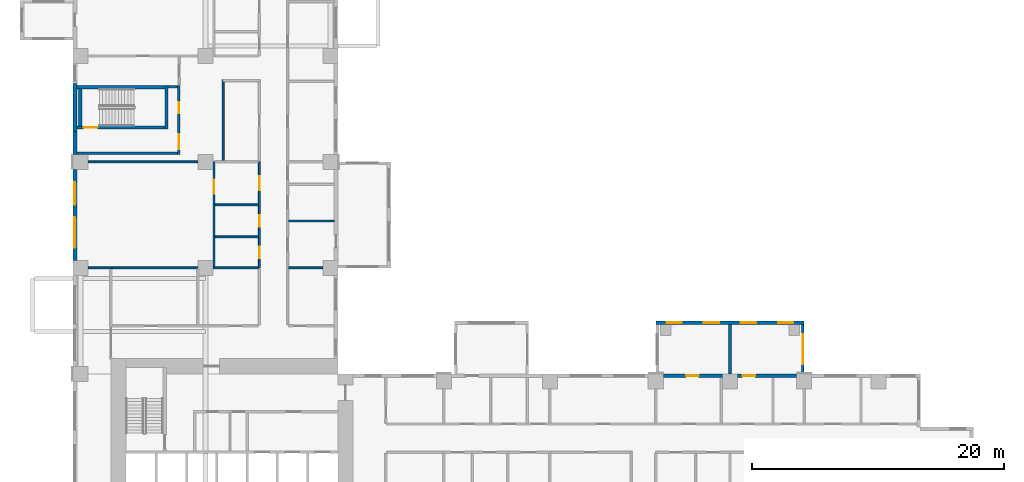
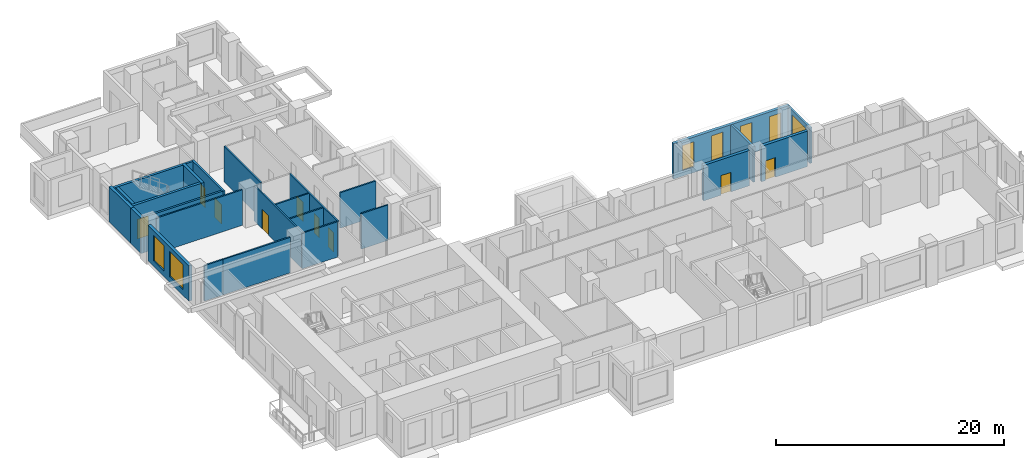
# One storey, part 6 of 15: 26 walls, 9 doors, 7 windows, 16 openings.
"""IFC4 building model written with IfcOpenShell, lengths in metres."""

from ifc_helpers import new_model, si_unit, direction, frame, frame_2d, origin, place, context, subcontext, project, spatial, rectangle, extrude, source, transform, mapped, material, layer, layer_set, type_object, element, fill, save


model = new_model("IFC4")

# Units and contexts
model_context = context("Model", 3, precision=1e-05, world=origin(), true_north=direction((0.0, 1.0)))
body_context = subcontext(model_context, "Body", "Model", "MODEL_VIEW")
ifc_project = project(units=[si_unit("LENGTHUNIT", "METRE"), si_unit("AREAUNIT", "SQUARE_METRE"), si_unit("VOLUMEUNIT", "CUBIC_METRE"), si_unit("PLANEANGLEUNIT", "RADIAN"), si_unit("MASSUNIT", "GRAM", prefix="KILO")], contexts=[model_context])

# Site, building, storey
site_placement = place(None, origin())
site = spatial("IfcSite", under=ifc_project, at=site_placement, CompositionType="ELEMENT")
building_placement = place(site_placement, origin())
building = spatial("IfcBuilding", under=site, at=building_placement, Name="Aurelian Terraces", CompositionType="ELEMENT")
storey_placement = place(building_placement, frame((0.0, 0.0, 82.5)))
storey = spatial("IfcBuildingStorey", under=building, at=storey_placement, Name="L17", CompositionType="ELEMENT", Elevation=82.5)

# Wall
ifc_material_1 = material(Name="Concrete fc' 40 MPa", Category="concrete")
ifc_layer_1 = layer(ifc_material_1, 0.2)
ifc_layer_set_1 = layer_set([ifc_layer_1], Name="BOX BEARING WALL 200")
wall_type_1 = type_object("IfcWallType", Name="BOX BEARING WALL 200", PredefinedType="SOLIDWALL", material=ifc_layer_set_1)
wall_1_placement = place(storey_placement, frame((52.08, 21.0, 0.0), z_axis=(0.0, 0.0, 1.0), x_axis=(0.0, 1.0, 0.0)))
element("IfcWall", 1, at=wall_1_placement, inside=storey, type_object=wall_type_1, Name="Box partition L17 K01", PredefinedType="SOLIDWALL", context=body_context, shape_type="SweptSolid", body=[
    extrude(rectangle(XDim=3.9, YDim=0.2, at=frame_2d((1.95, 0.0))), origin(), (0.0, 0.0, 1.0), 3.8),
])

# Wall, openings, windows
ifc_layer_2 = layer(ifc_material_1, 0.3)
ifc_layer_set_2 = layer_set([ifc_layer_2], Name="BOX BEARING WALL 300")
wall_type_2 = type_object("IfcWallType", Name="BOX BEARING WALL 300", PredefinedType="SOLIDWALL", material=ifc_layer_set_2)
wall_2_placement = place(storey_placement, frame((57.96, 25.05, 0.0), z_axis=(0.0, 0.0, 1.0), x_axis=(-1.0, 0.0, 0.0)))
wall_2 = element("IfcWall", 2, at=wall_2_placement, inside=storey, type_object=wall_type_2, Name="Box wall L17 K01", PredefinedType="SOLIDWALL", context=body_context, shape_type="SweptSolid", body=[
    extrude(rectangle(XDim=11.76, YDim=0.3, at=frame_2d((5.88, 0.0))), origin(), (0.0, 0.0, 1.0), 3.8),
])
shared_shape_1 = source(origin(), body_context, "Body", "SweptSolid", [
    extrude(rectangle(XDim=1.2, YDim=2.7, at=frame_2d((0.6, 1.35))), frame((0.0, 0.16, 0.0), z_axis=(0.0, -1.0, 0.0), x_axis=(1.0, 0.0, 0.0)), (0.0, 0.0, 1.0), 0.32),
])
opening_1_placement = place(wall_2_placement, frame((0.87, 0.0, 0.6)))
opening_1 = element("IfcOpeningElement", 3, at=opening_1_placement, cuts=wall_2, Name="Opening W1227", PredefinedType="OPENING", context=body_context, shape_type="MappedRepresentation", body=[
    mapped(shared_shape_1, transform((0.0, 0.0, 0.0), scale=1.0)),
])
opening_2_placement = place(wall_2_placement, frame((3.81, 0.0, 0.6)))
opening_2 = element("IfcOpeningElement", 4, at=opening_2_placement, cuts=wall_2, Name="Opening W1227", PredefinedType="OPENING", context=body_context, shape_type="MappedRepresentation", body=[
    mapped(shared_shape_1, transform((0.0, 0.0, 0.0), scale=1.0)),
])
opening_3_placement = place(wall_2_placement, frame((6.75, 0.0, 0.6)))
opening_3 = element("IfcOpeningElement", 5, at=opening_3_placement, cuts=wall_2, Name="Opening W1227", PredefinedType="OPENING", context=body_context, shape_type="MappedRepresentation", body=[
    mapped(shared_shape_1, transform((0.0, 0.0, 0.0), scale=1.0)),
])
opening_4_placement = place(wall_2_placement, frame((9.69, 0.0, 0.6)))
opening_4 = element("IfcOpeningElement", 6, at=opening_4_placement, cuts=wall_2, Name="Opening W1227", PredefinedType="OPENING", context=body_context, shape_type="MappedRepresentation", body=[
    mapped(shared_shape_1, transform((0.0, 0.0, 0.0), scale=1.0)),
])
ifc_material_2 = material(Name="Clear glazing", Category="glass")
window_type_1 = type_object("IfcWindowType", Name="W-1200x2700", PartitioningType="SINGLE_PANEL", PredefinedType="WINDOW", material=ifc_material_2)
shared_shape_2 = source(origin(), body_context, "Body", "SweptSolid", [
    extrude(rectangle(XDim=1.2, YDim=2.7, at=frame_2d((0.6, 1.35))), frame((0.0, 0.03, 0.0), z_axis=(0.0, -1.0, 0.0), x_axis=(1.0, 0.0, 0.0)), (0.0, 0.0, 1.0), 0.06),
])
window_1_placement = place(opening_1_placement, origin())
window_1 = element("IfcWindow", 7, at=window_1_placement, inside=storey, type_object=window_type_1, Name="Window L17 K01-F1", OverallHeight=2.7, OverallWidth=1.2, PartitioningType="SINGLE_PANEL", PredefinedType="WINDOW", context=body_context, shape_type="MappedRepresentation", body=[
    mapped(shared_shape_2, transform((0.0, 0.0, 0.0), scale=1.0)),
])
fill(opening_1, window_1)
window_2_placement = place(opening_2_placement, origin())
window_2 = element("IfcWindow", 8, at=window_2_placement, inside=storey, type_object=window_type_1, Name="Window L17 K01-F2", OverallHeight=2.7, OverallWidth=1.2, PartitioningType="SINGLE_PANEL", PredefinedType="WINDOW", context=body_context, shape_type="MappedRepresentation", body=[
    mapped(shared_shape_2, transform((0.0, 0.0, 0.0), scale=1.0)),
])
fill(opening_2, window_2)
window_3_placement = place(opening_3_placement, origin())
window_3 = element("IfcWindow", 9, at=window_3_placement, inside=storey, type_object=window_type_1, Name="Window L17 K01-F3", OverallHeight=2.7, OverallWidth=1.2, PartitioningType="SINGLE_PANEL", PredefinedType="WINDOW", context=body_context, shape_type="MappedRepresentation", body=[
    mapped(shared_shape_2, transform((0.0, 0.0, 0.0), scale=1.0)),
])
fill(opening_3, window_3)
window_4_placement = place(opening_4_placement, origin())
window_4 = element("IfcWindow", 10, at=window_4_placement, inside=storey, type_object=window_type_1, Name="Window L17 K01-F4", OverallHeight=2.7, OverallWidth=1.2, PartitioningType="SINGLE_PANEL", PredefinedType="WINDOW", context=body_context, shape_type="MappedRepresentation", body=[
    mapped(shared_shape_2, transform((0.0, 0.0, 0.0), scale=1.0)),
])
fill(opening_4, window_4)

ifc_material_3 = material(Name="Terracotta rainscreen cladding", Category="masonry")
ifc_layer_3 = layer(ifc_material_3, 0.3)
ifc_layer_set_3 = layer_set([ifc_layer_3], Name="EW-300")
wall_type_3 = type_object("IfcWallType", Name="EW-300", PredefinedType="STANDARD", material=ifc_layer_set_3)
shared_shape_3 = source(origin(), body_context, "Body", "SweptSolid", [
    extrude(rectangle(XDim=7.2, YDim=0.3, at=frame_2d((3.6, 0.0))), origin(), (0.0, 0.0, 1.0), 3.8),
])
wall_3_placement = place(storey_placement, frame((0.15, 37.2, 0.0), z_axis=(0.0, 0.0, 1.0), x_axis=(0.0, -1.0, 0.0)))
wall_3 = element("IfcWall", 11, at=wall_3_placement, inside=storey, type_object=wall_type_3, Name="External wall L17 F14.33", PredefinedType="STANDARD", context=body_context, shape_type="MappedRepresentation", body=[
    mapped(shared_shape_3, transform((0.0, 0.0, 0.0), scale=1.0)),
])
shared_shape_4 = source(origin(), body_context, "Body", "SweptSolid", [
    extrude(rectangle(XDim=1.8, YDim=2.7, at=frame_2d((0.9, 1.35))), frame((0.0, 0.16, 0.0), z_axis=(0.0, -1.0, 0.0), x_axis=(1.0, 0.0, 0.0)), (0.0, 0.0, 1.0), 0.32),
])
opening_5_placement = place(wall_3_placement, frame((1.0075, 0.0, 0.6)))
opening_5 = element("IfcOpeningElement", 12, at=opening_5_placement, cuts=wall_3, Name="Opening W1827", PredefinedType="OPENING", context=body_context, shape_type="MappedRepresentation", body=[
    mapped(shared_shape_4, transform((0.0, 0.0, 0.0), scale=1.0)),
])
shared_shape_5 = source(origin(), body_context, "Body", "SweptSolid", [
    extrude(rectangle(XDim=2.4, YDim=2.7, at=frame_2d((1.2, 1.35))), frame((0.0, 0.16, 0.0), z_axis=(0.0, -1.0, 0.0), x_axis=(1.0, 0.0, 0.0)), (0.0, 0.0, 1.0), 0.32),
])
opening_6_placement = place(wall_3_placement, frame((3.8038, 0.0, 0.6)))
opening_6 = element("IfcOpeningElement", 13, at=opening_6_placement, cuts=wall_3, Name="Opening W2427", PredefinedType="OPENING", context=body_context, shape_type="MappedRepresentation", body=[
    mapped(shared_shape_5, transform((0.0, 0.0, 0.0), scale=1.0)),
])
window_type_2 = type_object("IfcWindowType", Name="W-2400x2700", PartitioningType="SINGLE_PANEL", PredefinedType="WINDOW", material=ifc_material_2)
shared_shape_6 = source(origin(), body_context, "Body", "SweptSolid", [
    extrude(rectangle(XDim=2.4, YDim=2.7, at=frame_2d((1.2, 1.35))), frame((0.0, 0.03, 0.0), z_axis=(0.0, -1.0, 0.0), x_axis=(1.0, 0.0, 0.0)), (0.0, 0.0, 1.0), 0.06),
])
window_5_placement = place(opening_6_placement, origin())
window_5 = element("IfcWindow", 14, at=window_5_placement, inside=storey, type_object=window_type_2, Name="Window L17 L17-F14-33-G5-194", OverallHeight=2.7, OverallWidth=2.4, PartitioningType="SINGLE_PANEL", PredefinedType="WINDOW", context=body_context, shape_type="MappedRepresentation", body=[
    mapped(shared_shape_6, transform((0.0, 0.0, 0.0), scale=1.0)),
])
fill(opening_6, window_5)
window_type_3 = type_object("IfcWindowType", Name="W-1800x2700", PartitioningType="SINGLE_PANEL", PredefinedType="WINDOW", material=ifc_material_2)
shared_shape_7 = source(origin(), body_context, "Body", "SweptSolid", [
    extrude(rectangle(XDim=1.8, YDim=2.7, at=frame_2d((0.9, 1.35))), frame((0.0, 0.03, 0.0), z_axis=(0.0, -1.0, 0.0), x_axis=(1.0, 0.0, 0.0)), (0.0, 0.0, 1.0), 0.06),
])
window_6_placement = place(opening_5_placement, origin())
window_6 = element("IfcWindow", 15, at=window_6_placement, inside=storey, type_object=window_type_3, Name="Window L17 L17-F14-33-4", OverallHeight=2.7, OverallWidth=1.8, PartitioningType="SINGLE_PANEL", PredefinedType="WINDOW", context=body_context, shape_type="MappedRepresentation", body=[
    mapped(shared_shape_7, transform((0.0, 0.0, 0.0), scale=1.0)),
])
fill(opening_5, window_6)

# Wall, opening, door
shared_shape_8 = source(origin(), body_context, "Body", "SweptSolid", [
    extrude(rectangle(XDim=4.68, YDim=0.3, at=frame_2d((2.34, 0.0))), origin(), (0.0, 0.0, 1.0), 3.8),
])
wall_4_placement = place(storey_placement, frame((57.36, 20.85, 0.0), z_axis=(0.0, 0.0, 1.0), x_axis=(-1.0, 0.0, 0.0)))
wall_4 = element("IfcWall", 16, at=wall_4_placement, inside=storey, type_object=wall_type_3, Name="External wall L17 F07.20", PredefinedType="STANDARD", context=body_context, shape_type="MappedRepresentation", body=[
    mapped(shared_shape_8, transform((0.0, 0.0, 0.0), scale=1.0)),
])
shared_shape_9 = source(origin(), body_context, "Body", "SweptSolid", [
    extrude(rectangle(XDim=1.0, YDim=2.1, at=frame_2d((0.5, 1.05))), frame((0.0, 0.16, 0.0), z_axis=(0.0, -1.0, 0.0), x_axis=(1.0, 0.0, 0.0)), (0.0, 0.0, 1.0), 0.32),
])
opening_7_placement = place(wall_4_placement, frame((3.2867, 0.0, 0.0)))
opening_7 = element("IfcOpeningElement", 17, at=opening_7_placement, cuts=wall_4, Name="Opening 817005", PredefinedType="OPENING", context=body_context, shape_type="MappedRepresentation", body=[
    mapped(shared_shape_9, transform((0.0, 0.0, 0.0), scale=1.0)),
])
ifc_material_4 = material(Name="Timber door leaf", Category="wood")
door_type_1 = type_object("IfcDoorType", Name="Room door 1000x2100 left", OperationType="SINGLE_SWING_LEFT", PredefinedType="DOOR", material=ifc_material_4)
shared_shape_10 = source(origin(), body_context, "Body", "SweptSolid", [
    extrude(rectangle(XDim=1.0, YDim=2.1, at=frame_2d((0.5, 1.05))), frame((0.0, 0.025, 0.0), z_axis=(0.0, -1.0, 0.0), x_axis=(1.0, 0.0, 0.0)), (0.0, 0.0, 1.0), 0.05),
])
door_1_placement = place(opening_7_placement, origin())
door_1 = element("IfcDoor", 18, at=door_1_placement, inside=storey, type_object=door_type_1, Name="Door 817005", OperationType="SINGLE_SWING_LEFT", OverallHeight=2.1, OverallWidth=1.0, PredefinedType="DOOR", context=body_context, shape_type="MappedRepresentation", body=[
    mapped(shared_shape_10, transform((0.0, 0.0, 0.0), scale=1.0)),
])
fill(opening_7, door_1)

wall_5_placement = place(storey_placement, frame((51.48, 20.85, 0.0), z_axis=(0.0, 0.0, 1.0), x_axis=(-1.0, 0.0, 0.0)))
wall_5 = element("IfcWall", 19, at=wall_5_placement, inside=storey, type_object=wall_type_3, Name="External wall L17 F07.20", PredefinedType="STANDARD", context=body_context, shape_type="MappedRepresentation", body=[
    mapped(shared_shape_8, transform((0.0, 0.0, 0.0), scale=1.0)),
])
opening_8_placement = place(wall_5_placement, frame((1.8867, 0.0, 0.0)))
opening_8 = element("IfcOpeningElement", 20, at=opening_8_placement, cuts=wall_5, Name="Opening 817006", PredefinedType="OPENING", context=body_context, shape_type="MappedRepresentation", body=[
    mapped(shared_shape_9, transform((0.0, 0.0, 0.0), scale=1.0)),
])
door_2_placement = place(opening_8_placement, origin())
door_2 = element("IfcDoor", 21, at=door_2_placement, inside=storey, type_object=door_type_1, Name="Door 817006", OperationType="SINGLE_SWING_LEFT", OverallHeight=2.1, OverallWidth=1.0, PredefinedType="DOOR", context=body_context, shape_type="MappedRepresentation", body=[
    mapped(shared_shape_10, transform((0.0, 0.0, 0.0), scale=1.0)),
])
fill(opening_8, door_2)

# Walls
ifc_layer_4 = layer(ifc_material_1, 0.3)
ifc_layer_set_4 = layer_set([ifc_layer_4], Name="STAIR BAY WALL 300")
wall_type_4 = type_object("IfcWallType", Name="STAIR BAY WALL 300", PredefinedType="SOLIDWALL", material=ifc_layer_set_4)
shared_shape_11 = source(origin(), body_context, "Body", "SweptSolid", [
    extrude(rectangle(XDim=3.8, YDim=0.3, at=frame_2d((1.9, 0.0))), origin(), (0.0, 0.0, 1.0), 3.8),
])
wall_6_placement = place(storey_placement, frame((0.15, 44.0, 0.0), z_axis=(0.0, 0.0, 1.0), x_axis=(0.0, -1.0, 0.0)))
element("IfcWall", 22, at=wall_6_placement, inside=storey, type_object=wall_type_4, Name="Stair bay wall L17 F14.33", PredefinedType="SOLIDWALL", context=body_context, shape_type="MappedRepresentation", body=[
    mapped(shared_shape_11, transform((0.0, 0.0, 0.0), scale=1.0)),
])
shared_shape_12 = source(origin(), body_context, "Body", "SweptSolid", [
    extrude(rectangle(XDim=1.8, YDim=0.3, at=frame_2d((0.9, 0.0))), origin(), (0.0, 0.0, 1.0), 3.8),
])
wall_7_placement = place(storey_placement, frame((0.15, 40.2, 0.0), z_axis=(0.0, 0.0, 1.0), x_axis=(0.0, -1.0, 0.0)))
element("IfcWall", 23, at=wall_7_placement, inside=storey, type_object=wall_type_3, Name="External wall L17 F14.33", PredefinedType="STANDARD", context=body_context, shape_type="MappedRepresentation", body=[
    mapped(shared_shape_12, transform((0.0, 0.0, 0.0), scale=1.0)),
])

# Wall, opening, window
shared_shape_13 = source(origin(), body_context, "Body", "SweptSolid", [
    extrude(rectangle(XDim=3.9, YDim=0.2, at=frame_2d((1.95, 0.0))), origin(), (0.0, 0.0, 1.0), 3.8),
])
wall_8_placement = place(storey_placement, frame((57.86, 21.0, 0.0), z_axis=(0.0, 0.0, 1.0), x_axis=(0.0, 1.0, 0.0)))
wall_8 = element("IfcWall", 24, at=wall_8_placement, inside=storey, type_object=wall_type_1, Name="Box return L17 K01.1", PredefinedType="SOLIDWALL", context=body_context, shape_type="MappedRepresentation", body=[
    mapped(shared_shape_13, transform((0.0, 0.0, 0.0), scale=1.0)),
])
shared_shape_14 = source(origin(), body_context, "Body", "SweptSolid", [
    extrude(rectangle(XDim=2.4, YDim=2.7, at=frame_2d((1.2, 1.35))), frame((0.0, 0.11, 0.0), z_axis=(0.0, -1.0, 0.0), x_axis=(1.0, 0.0, 0.0)), (0.0, 0.0, 1.0), 0.22),
])
opening_9_placement = place(wall_8_placement, frame((0.75, 0.0, 0.6)))
opening_9 = element("IfcOpeningElement", 25, at=opening_9_placement, cuts=wall_8, Name="Opening W2427", PredefinedType="OPENING", context=body_context, shape_type="MappedRepresentation", body=[
    mapped(shared_shape_14, transform((0.0, 0.0, 0.0), scale=1.0)),
])
window_7_placement = place(opening_9_placement, origin())
window_7 = element("IfcWindow", 26, at=window_7_placement, inside=storey, type_object=window_type_2, Name="Window L17 K01-S1", OverallHeight=2.7, OverallWidth=2.4, PartitioningType="SINGLE_PANEL", PredefinedType="WINDOW", context=body_context, shape_type="MappedRepresentation", body=[
    mapped(shared_shape_6, transform((0.0, 0.0, 0.0), scale=1.0)),
])
fill(opening_9, window_7)

# Wall, opening, door
ifc_layer_5 = layer(ifc_material_1, 0.25)
ifc_layer_set_5 = layer_set([ifc_layer_5], Name="Stair enclosure wall 250")
wall_type_5 = type_object("IfcWallType", Name="Stair enclosure wall 250", PredefinedType="SOLIDWALL", material=ifc_layer_set_5)
shared_shape_15 = source(origin(), body_context, "Body", "SweptSolid", [
    extrude(rectangle(XDim=7.0, YDim=0.25, at=frame_2d((3.5, 0.0))), origin(), (0.0, 0.0, 1.0), 3.8),
])
wall_9_placement = place(storey_placement, frame((0.3, 40.525, 0.0), z_axis=(0.0, 0.0, 1.0), x_axis=(1.0, 0.0, 0.0)))
wall_9 = element("IfcWall", 27, at=wall_9_placement, inside=storey, type_object=wall_type_5, Name="L17 core wall ST-S3-W", PredefinedType="SOLIDWALL", context=body_context, shape_type="MappedRepresentation", body=[
    mapped(shared_shape_15, transform((0.0, 0.0, 0.0), scale=1.0)),
])
shared_shape_16 = source(origin(), body_context, "Body", "SweptSolid", [
    extrude(rectangle(XDim=1.1, YDim=2.1, at=frame_2d((0.55, 1.05))), frame((0.0, 0.135, 0.0), z_axis=(0.0, -1.0, 0.0), x_axis=(1.0, 0.0, 0.0)), (0.0, 0.0, 1.0), 0.27),
])
opening_10_placement = place(wall_9_placement, frame((0.55, 0.0, 0.0)))
opening_10 = element("IfcOpeningElement", 28, at=opening_10_placement, cuts=wall_9, Name="Opening 62017", PredefinedType="OPENING", context=body_context, shape_type="MappedRepresentation", body=[
    mapped(shared_shape_16, transform((0.0, 0.0, 0.0), scale=1.0)),
])
ifc_material_5 = material(Name="Steel door leaf", Category="steel")
door_type_2 = type_object("IfcDoorType", Name="Core fire door 1100x2100 right", OperationType="SINGLE_SWING_RIGHT", PredefinedType="DOOR", material=ifc_material_5)
shared_shape_17 = source(origin(), body_context, "Body", "SweptSolid", [
    extrude(rectangle(XDim=1.1, YDim=2.1, at=frame_2d((0.55, 1.05))), frame((0.0, 0.025, 0.0), z_axis=(0.0, -1.0, 0.0), x_axis=(1.0, 0.0, 0.0)), (0.0, 0.0, 1.0), 0.05),
])
door_3_placement = place(opening_10_placement, origin())
door_3 = element("IfcDoor", 29, at=door_3_placement, inside=storey, type_object=door_type_2, Name="Stair door 62017", OperationType="SINGLE_SWING_RIGHT", OverallHeight=2.1, OverallWidth=1.1, PredefinedType="DOOR", context=body_context, shape_type="MappedRepresentation", body=[
    mapped(shared_shape_17, transform((0.0, 0.0, 0.0), scale=1.0)),
])
fill(opening_10, door_3)

# Walls
wall_10_placement = place(storey_placement, frame((0.3, 43.725, 0.0), z_axis=(0.0, 0.0, 1.0), x_axis=(1.0, 0.0, 0.0)))
element("IfcWall", 30, at=wall_10_placement, inside=storey, type_object=wall_type_5, Name="L17 core wall ST-S3-E", PredefinedType="SOLIDWALL", context=body_context, shape_type="MappedRepresentation", body=[
    mapped(shared_shape_15, transform((0.0, 0.0, 0.0), scale=1.0)),
])
shared_shape_18 = source(origin(), body_context, "Body", "SweptSolid", [
    extrude(rectangle(XDim=3.45, YDim=0.25, at=frame_2d((1.725, 0.0))), origin(), (0.0, 0.0, 1.0), 3.8),
])
wall_11_placement = place(storey_placement, frame((7.425, 40.4, 0.0), z_axis=(0.0, 0.0, 1.0), x_axis=(0.0, 1.0, 0.0)))
element("IfcWall", 31, at=wall_11_placement, inside=storey, type_object=wall_type_5, Name="L17 core wall ST-S3-N", PredefinedType="SOLIDWALL", context=body_context, shape_type="MappedRepresentation", body=[
    mapped(shared_shape_18, transform((0.0, 0.0, 0.0), scale=1.0)),
])
shared_shape_19 = source(origin(), body_context, "Body", "SweptSolid", [
    extrude(rectangle(XDim=2.95, YDim=0.25, at=frame_2d((1.475, 0.0))), origin(), (0.0, 0.0, 1.0), 3.8),
])
wall_12_placement = place(storey_placement, frame((0.575, 40.65, 0.0), z_axis=(0.0, 0.0, 1.0), x_axis=(0.0, 1.0, 0.0)))
element("IfcWall", 32, at=wall_12_placement, inside=storey, type_object=wall_type_5, Name="L17 core wall ST-S3-SS", PredefinedType="SOLIDWALL", context=body_context, shape_type="MappedRepresentation", body=[
    mapped(shared_shape_19, transform((0.0, 0.0, 0.0), scale=1.0)),
])
ifc_material_6 = material(Name="Gypsum board on steel studs", Category="steel")
ifc_layer_6 = layer(ifc_material_6, 0.2)
ifc_layer_set_6 = layer_set([ifc_layer_6], Name="Core partition 200")
wall_type_6 = type_object("IfcWallType", Name="Core partition 200", PredefinedType="PARTITIONING", material=ifc_layer_set_6)
shared_shape_20 = source(origin(), body_context, "Body", "SweptSolid", [
    extrude(rectangle(XDim=8.0, YDim=0.2, at=frame_2d((4.0, 0.0))), origin(), (0.0, 0.0, 1.0), 3.8),
])
wall_13_placement = place(storey_placement, frame((0.3, 38.5, 0.0), z_axis=(0.0, 0.0, 1.0), x_axis=(1.0, 0.0, 0.0)))
element("IfcWall", 33, at=wall_13_placement, inside=storey, type_object=wall_type_6, Name="L17 core wall ST-S3-VW", PredefinedType="PARTITIONING", context=body_context, shape_type="MappedRepresentation", body=[
    mapped(shared_shape_20, transform((0.0, 0.0, 0.0), scale=1.0)),
])

# Wall, openings, doors
shared_shape_21 = source(origin(), body_context, "Body", "SweptSolid", [
    extrude(rectangle(XDim=5.45, YDim=0.2, at=frame_2d((2.725, 0.0))), origin(), (0.0, 0.0, 1.0), 3.8),
])
wall_14_placement = place(storey_placement, frame((8.4, 38.4, 0.0), z_axis=(0.0, 0.0, 1.0), x_axis=(0.0, 1.0, 0.0)))
wall_14 = element("IfcWall", 34, at=wall_14_placement, inside=storey, type_object=wall_type_6, Name="L17 core wall ST-S3-BN", PredefinedType="PARTITIONING", context=body_context, shape_type="MappedRepresentation", body=[
    mapped(shared_shape_21, transform((0.0, 0.0, 0.0), scale=1.0)),
])
shared_shape_22 = source(origin(), body_context, "Body", "SweptSolid", [
    extrude(rectangle(XDim=1.2, YDim=2.1, at=frame_2d((0.6, 1.05))), frame((0.0, 0.11, 0.0), z_axis=(0.0, -1.0, 0.0), x_axis=(1.0, 0.0, 0.0)), (0.0, 0.0, 1.0), 0.22),
])
opening_11_placement = place(wall_14_placement, frame((0.4, 0.0, 0.0)))
opening_11 = element("IfcOpeningElement", 35, at=opening_11_placement, cuts=wall_14, Name="Opening 62018", PredefinedType="OPENING", context=body_context, shape_type="MappedRepresentation", body=[
    mapped(shared_shape_22, transform((0.0, 0.0, 0.0), scale=1.0)),
])
shared_shape_23 = source(origin(), body_context, "Body", "SweptSolid", [
    extrude(rectangle(XDim=0.9, YDim=2.1, at=frame_2d((0.45, 1.05))), frame((0.0, 0.11, 0.0), z_axis=(0.0, -1.0, 0.0), x_axis=(1.0, 0.0, 0.0)), (0.0, 0.0, 1.0), 0.22),
])
opening_12_placement = place(wall_14_placement, frame((3.25, 0.0, 0.0)))
opening_12 = element("IfcOpeningElement", 36, at=opening_12_placement, cuts=wall_14, Name="Opening 62019", PredefinedType="OPENING", context=body_context, shape_type="MappedRepresentation", body=[
    mapped(shared_shape_23, transform((0.0, 0.0, 0.0), scale=1.0)),
])
door_type_3 = type_object("IfcDoorType", Name="Core riser door 900x2100 right", OperationType="SINGLE_SWING_RIGHT", PredefinedType="DOOR", material=ifc_material_5)
shared_shape_24 = source(origin(), body_context, "Body", "SweptSolid", [
    extrude(rectangle(XDim=0.9, YDim=2.1, at=frame_2d((0.45, 1.05))), frame((0.0, 0.025, 0.0), z_axis=(0.0, -1.0, 0.0), x_axis=(1.0, 0.0, 0.0)), (0.0, 0.0, 1.0), 0.05),
])
door_4_placement = place(opening_12_placement, origin())
door_4 = element("IfcDoor", 37, at=door_4_placement, inside=storey, type_object=door_type_3, Name="Riser door 62019", OperationType="SINGLE_SWING_RIGHT", OverallHeight=2.1, OverallWidth=0.9, PredefinedType="DOOR", context=body_context, shape_type="MappedRepresentation", body=[
    mapped(shared_shape_24, transform((0.0, 0.0, 0.0), scale=1.0)),
])
fill(opening_12, door_4)
door_type_4 = type_object("IfcDoorType", Name="Core fire door 1200x2100", OperationType="SINGLE_SWING_LEFT", PredefinedType="DOOR", material=ifc_material_5)
shared_shape_25 = source(origin(), body_context, "Body", "SweptSolid", [
    extrude(rectangle(XDim=1.2, YDim=2.1, at=frame_2d((0.6, 1.05))), frame((0.0, 0.025, 0.0), z_axis=(0.0, -1.0, 0.0), x_axis=(1.0, 0.0, 0.0)), (0.0, 0.0, 1.0), 0.05),
])
door_5_placement = place(opening_11_placement, origin())
door_5 = element("IfcDoor", 38, at=door_5_placement, inside=storey, type_object=door_type_4, Name="Vestibule door 62018", OperationType="SINGLE_SWING_LEFT", OverallHeight=2.1, OverallWidth=1.2, PredefinedType="DOOR", context=body_context, shape_type="MappedRepresentation", body=[
    mapped(shared_shape_25, transform((0.0, 0.0, 0.0), scale=1.0)),
])
fill(opening_11, door_5)

# Walls
shared_shape_26 = source(origin(), body_context, "Body", "SweptSolid", [
    extrude(rectangle(XDim=0.75, YDim=0.2, at=frame_2d((0.375, 0.0))), origin(), (0.0, 0.0, 1.0), 3.8),
])
wall_15_placement = place(storey_placement, frame((7.55, 43.75, 0.0), z_axis=(0.0, 0.0, 1.0), x_axis=(1.0, 0.0, 0.0)))
element("IfcWall", 39, at=wall_15_placement, inside=storey, type_object=wall_type_6, Name="L17 core wall ST-S3-RE", PredefinedType="PARTITIONING", context=body_context, shape_type="MappedRepresentation", body=[
    mapped(shared_shape_26, transform((0.0, 0.0, 0.0), scale=1.0)),
])
ifc_layer_7 = layer(ifc_material_6, 0.15)
ifc_layer_set_7 = layer_set([ifc_layer_7], Name="Partition 150")
wall_type_7 = type_object("IfcWallType", Name="Partition 150", PredefinedType="PARTITIONING", material=ifc_layer_set_7)
shared_shape_27 = source(origin(), body_context, "Body", "SweptSolid", [
    extrude(rectangle(XDim=6.45, YDim=0.15, at=frame_2d((3.225, 0.0))), origin(), (0.0, 0.0, 1.0), 3.8),
])
wall_16_placement = place(storey_placement, frame((11.9, 44.325, 0.0), z_axis=(0.0, 0.0, 1.0), x_axis=(0.0, -1.0, 0.0)))
element("IfcWall", 40, at=wall_16_placement, inside=storey, type_object=wall_type_7, Name="Partition", PredefinedType="PARTITIONING", context=body_context, shape_type="MappedRepresentation", body=[
    mapped(shared_shape_27, transform((0.0, 0.0, 0.0), scale=1.0)),
])
shared_shape_28 = source(origin(), body_context, "Body", "SweptSolid", [
    extrude(rectangle(XDim=8.702, YDim=0.15, at=frame_2d((4.351, 0.0))), origin(), (0.0, 0.0, 1.0), 3.8),
])
wall_17_placement = place(storey_placement, frame((9.901, 37.8, 0.0), z_axis=(0.0, 0.0, 1.0), x_axis=(-1.0, 0.0, 0.0)))
element("IfcWall", 41, at=wall_17_placement, inside=storey, type_object=wall_type_7, Name="Partition", PredefinedType="PARTITIONING", context=body_context, shape_type="MappedRepresentation", body=[
    mapped(shared_shape_28, transform((0.0, 0.0, 0.0), scale=1.0)),
])
shared_shape_29 = source(origin(), body_context, "Body", "SweptSolid", [
    extrude(rectangle(XDim=3.6, YDim=0.15, at=frame_2d((1.8, 0.0))), origin(), (0.0, 0.0, 1.0), 3.8),
])
wall_18_placement = place(storey_placement, frame((17.1, 33.1133, 0.0), z_axis=(0.0, 0.0, 1.0), x_axis=(1.0, 0.0, 0.0)))
element("IfcWall", 42, at=wall_18_placement, inside=storey, type_object=wall_type_7, Name="Partition", PredefinedType="PARTITIONING", context=body_context, shape_type="MappedRepresentation", body=[
    mapped(shared_shape_29, transform((0.0, 0.0, 0.0), scale=1.0)),
])
shared_shape_30 = source(origin(), body_context, "Body", "SweptSolid", [
    extrude(rectangle(XDim=2.701, YDim=0.15, at=frame_2d((1.3505, 0.0))), origin(), (0.0, 0.0, 1.0), 3.8),
])
wall_19_placement = place(storey_placement, frame((19.801, 29.4, 0.0), z_axis=(0.0, 0.0, 1.0), x_axis=(-1.0, 0.0, 0.0)))
element("IfcWall", 43, at=wall_19_placement, inside=storey, type_object=wall_type_7, Name="Partition", PredefinedType="PARTITIONING", context=body_context, shape_type="MappedRepresentation", body=[
    mapped(shared_shape_30, transform((0.0, 0.0, 0.0), scale=1.0)),
])

# Wall, opening, door
shared_shape_31 = source(origin(), body_context, "Body", "SweptSolid", [
    extrude(rectangle(XDim=8.4, YDim=0.15, at=frame_2d((4.2, 0.0))), origin(), (0.0, 0.0, 1.0), 3.8),
])
wall_20_placement = place(storey_placement, frame((11.175, 29.4, 0.0), z_axis=(0.0, 0.0, 1.0), x_axis=(0.0, 1.0, 0.0)))
wall_20 = element("IfcWall", 44, at=wall_20_placement, inside=storey, type_object=wall_type_7, Name="Partition", PredefinedType="PARTITIONING", context=body_context, shape_type="MappedRepresentation", body=[
    mapped(shared_shape_31, transform((0.0, 0.0, 0.0), scale=1.0)),
])
shared_shape_32 = source(origin(), body_context, "Body", "SweptSolid", [
    extrude(rectangle(XDim=1.1, YDim=2.1, at=frame_2d((0.55, 1.05))), frame((0.0, 0.085, 0.0), z_axis=(0.0, -1.0, 0.0), x_axis=(1.0, 0.0, 0.0)), (0.0, 0.0, 1.0), 0.17),
])
opening_13_placement = place(wall_20_placement, frame((5.8831, 0.0, 0.0)))
opening_13 = element("IfcOpeningElement", 45, at=opening_13_placement, cuts=wall_20, Name="Opening 717035", PredefinedType="OPENING", context=body_context, shape_type="MappedRepresentation", body=[
    mapped(shared_shape_32, transform((0.0, 0.0, 0.0), scale=1.0)),
])
door_type_5 = type_object("IfcDoorType", Name="Room door 1100x2100 left", OperationType="SINGLE_SWING_LEFT", PredefinedType="DOOR", material=ifc_material_4)
door_6_placement = place(opening_13_placement, origin())
door_6 = element("IfcDoor", 46, at=door_6_placement, inside=storey, type_object=door_type_5, Name="Door 717035", OperationType="SINGLE_SWING_LEFT", OverallHeight=2.1, OverallWidth=1.1, PredefinedType="DOOR", context=body_context, shape_type="MappedRepresentation", body=[
    mapped(shared_shape_17, transform((0.0, 0.0, 0.0), scale=1.0)),
])
fill(opening_13, door_6)

# Wall, openings, doors
ifc_layer_8 = layer(ifc_material_6, 0.15)
ifc_layer_set_8 = layer_set([ifc_layer_8], Name="Fire partition 150")
wall_type_8 = type_object("IfcWallType", Name="Fire partition 150", PredefinedType="PARTITIONING", material=ifc_layer_set_8)
wall_21_placement = place(storey_placement, frame((14.775, 29.4, 0.0), z_axis=(0.0, 0.0, 1.0), x_axis=(0.0, 1.0, 0.0)))
wall_21 = element("IfcWall", 47, at=wall_21_placement, inside=storey, type_object=wall_type_8, Name="Corridor wall", PredefinedType="PARTITIONING", context=body_context, shape_type="MappedRepresentation", body=[
    mapped(shared_shape_31, transform((0.0, 0.0, 0.0), scale=1.0)),
])
opening_14_placement = place(wall_21_placement, frame((6.1456, 0.0, 0.0)))
opening_14 = element("IfcOpeningElement", 48, at=opening_14_placement, cuts=wall_21, Name="Opening 717034", PredefinedType="OPENING", context=body_context, shape_type="MappedRepresentation", body=[
    mapped(shared_shape_32, transform((0.0, 0.0, 0.0), scale=1.0)),
])
shared_shape_33 = source(origin(), body_context, "Body", "SweptSolid", [
    extrude(rectangle(XDim=0.9, YDim=2.1, at=frame_2d((0.45, 1.05))), frame((0.0, 0.085, 0.0), z_axis=(0.0, -1.0, 0.0), x_axis=(1.0, 0.0, 0.0)), (0.0, 0.0, 1.0), 0.17),
])
opening_15_placement = place(wall_21_placement, frame((0.7806, 0.0, 0.0)))
opening_15 = element("IfcOpeningElement", 49, at=opening_15_placement, cuts=wall_21, Name="Opening 717036", PredefinedType="OPENING", context=body_context, shape_type="MappedRepresentation", body=[
    mapped(shared_shape_33, transform((0.0, 0.0, 0.0), scale=1.0)),
])
opening_16_placement = place(wall_21_placement, frame((3.2762, 0.0, 0.0)))
opening_16 = element("IfcOpeningElement", 50, at=opening_16_placement, cuts=wall_21, Name="Opening 717037", PredefinedType="OPENING", context=body_context, shape_type="MappedRepresentation", body=[
    mapped(shared_shape_33, transform((0.0, 0.0, 0.0), scale=1.0)),
])
door_type_6 = type_object("IfcDoorType", Name="Room door 900x2100 right", OperationType="SINGLE_SWING_RIGHT", PredefinedType="DOOR", material=ifc_material_4)
door_7_placement = place(opening_15_placement, origin())
door_7 = element("IfcDoor", 51, at=door_7_placement, inside=storey, type_object=door_type_6, Name="Door 717036", OperationType="SINGLE_SWING_RIGHT", OverallHeight=2.1, OverallWidth=0.9, PredefinedType="DOOR", context=body_context, shape_type="MappedRepresentation", body=[
    mapped(shared_shape_24, transform((0.0, 0.0, 0.0), scale=1.0)),
])
fill(opening_15, door_7)
door_type_7 = type_object("IfcDoorType", Name="Room door 900x2100 left", OperationType="SINGLE_SWING_LEFT", PredefinedType="DOOR", material=ifc_material_4)
door_8_placement = place(opening_16_placement, origin())
door_8 = element("IfcDoor", 52, at=door_8_placement, inside=storey, type_object=door_type_7, Name="Door 717037", OperationType="SINGLE_SWING_LEFT", OverallHeight=2.1, OverallWidth=0.9, PredefinedType="DOOR", context=body_context, shape_type="MappedRepresentation", body=[
    mapped(shared_shape_24, transform((0.0, 0.0, 0.0), scale=1.0)),
])
fill(opening_16, door_8)
door_type_8 = type_object("IfcDoorType", Name="Room door 1100x2100 right", OperationType="SINGLE_SWING_RIGHT", PredefinedType="DOOR", material=ifc_material_4)
door_9_placement = place(opening_14_placement, origin())
door_9 = element("IfcDoor", 53, at=door_9_placement, inside=storey, type_object=door_type_8, Name="Door 717034", OperationType="SINGLE_SWING_RIGHT", OverallHeight=2.1, OverallWidth=1.1, PredefinedType="DOOR", context=body_context, shape_type="MappedRepresentation", body=[
    mapped(shared_shape_17, transform((0.0, 0.0, 0.0), scale=1.0)),
])
fill(opening_14, door_9)

# Walls
shared_shape_34 = source(origin(), body_context, "Body", "SweptSolid", [
    extrude(rectangle(XDim=6.826, YDim=0.15, at=frame_2d((3.413, 0.0))), origin(), (0.0, 0.0, 1.0), 3.8),
])
wall_22_placement = place(storey_placement, frame((9.901, 29.4, 0.0), z_axis=(0.0, 0.0, 1.0), x_axis=(-1.0, 0.0, 0.0)))
element("IfcWall", 54, at=wall_22_placement, inside=storey, type_object=wall_type_7, Name="Partition", PredefinedType="PARTITIONING", context=body_context, shape_type="MappedRepresentation", body=[
    mapped(shared_shape_34, transform((0.0, 0.0, 0.0), scale=1.0)),
])
shared_shape_35 = source(origin(), body_context, "Body", "SweptSolid", [
    extrude(rectangle(XDim=1.856, YDim=0.15, at=frame_2d((0.928, 0.0))), origin(), (0.0, 0.0, 1.0), 3.8),
])
wall_23_placement = place(storey_placement, frame((3.055, 29.4, 0.0), z_axis=(0.0, 0.0, 1.0), x_axis=(-1.0, 0.0, 0.0)))
element("IfcWall", 55, at=wall_23_placement, inside=storey, type_object=wall_type_7, Name="Partition", PredefinedType="PARTITIONING", context=body_context, shape_type="MappedRepresentation", body=[
    mapped(shared_shape_35, transform((0.0, 0.0, 0.0), scale=1.0)),
])
shared_shape_36 = source(origin(), body_context, "Body", "SweptSolid", [
    extrude(rectangle(XDim=3.601, YDim=0.15, at=frame_2d((1.8005, 0.0))), origin(), (0.0, 0.0, 1.0), 3.8),
])
wall_24_placement = place(storey_placement, frame((14.7, 29.4, 0.0), z_axis=(0.0, 0.0, 1.0), x_axis=(-1.0, 0.0, 0.0)))
element("IfcWall", 56, at=wall_24_placement, inside=storey, type_object=wall_type_7, Name="Partition", PredefinedType="PARTITIONING", context=body_context, shape_type="MappedRepresentation", body=[
    mapped(shared_shape_36, transform((0.0, 0.0, 0.0), scale=1.0)),
])
shared_shape_37 = source(origin(), body_context, "Body", "SweptSolid", [
    extrude(rectangle(XDim=3.45, YDim=0.15, at=frame_2d((1.725, 0.0))), origin(), (0.0, 0.0, 1.0), 3.8),
])
for number, where, z_axis, x_axis, name in (
    (57, (14.7, 31.8612, 0.0), (0.0, 0.0, 1.0), (-1.0, 0.0, 0.0), "Partition"),
    (58, (14.7, 34.3912, 0.0), (0.0, 0.0, 1.0), (-1.0, 0.0, 0.0), "Partition"),
):
    element("IfcWall", number, at=place(storey_placement, frame(where, z_axis=z_axis, x_axis=x_axis)), inside=storey, type_object=wall_type_7, Name=name, PredefinedType="PARTITIONING", context=body_context, shape_type="MappedRepresentation", body=[
        mapped(shared_shape_37, transform((0.0, 0.0, 0.0), scale=1.0)),
    ])

save(model, "model.ifc")
